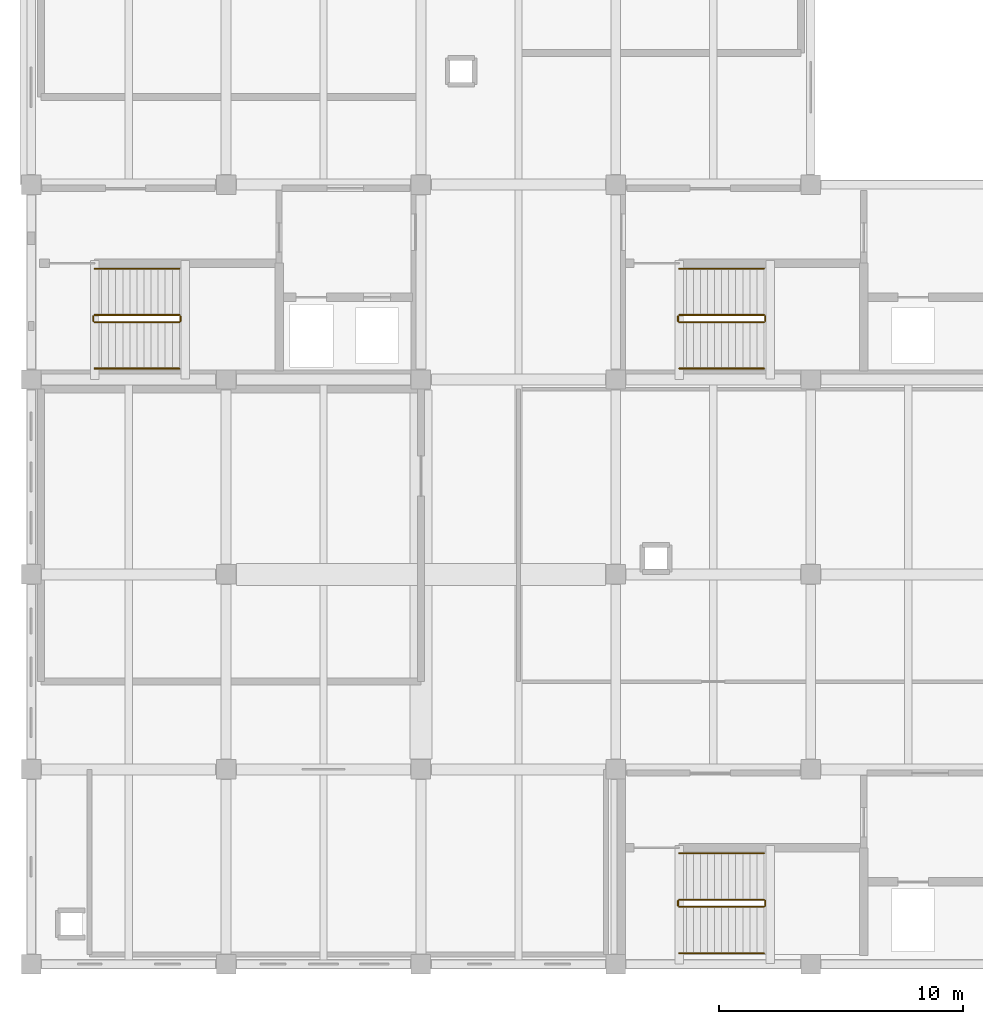
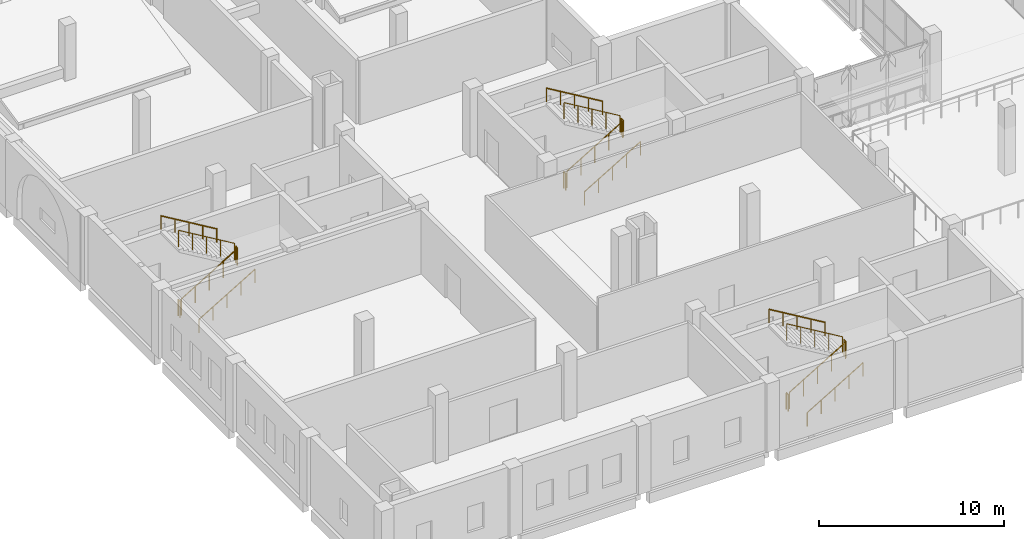
# One storey, part 37 of 45: 18 railings.
"""IFC4 building model written with IfcOpenShell, lengths in metres."""

from ifc_helpers import new_model, si_unit, direction, frame, origin, origin_2d, place, context, subcontext, project, spatial, circle, extrude, material, type_object, element, save


model = new_model("IFC4")

# Units and contexts
model_context = context("Model", 3, precision=1e-05, world=origin(), true_north=direction((0.0, 1.0)))
body_context = subcontext(model_context, "Body", "Model", "MODEL_VIEW")
ifc_project = project(units=[si_unit("LENGTHUNIT", "METRE"), si_unit("AREAUNIT", "SQUARE_METRE"), si_unit("VOLUMEUNIT", "CUBIC_METRE"), si_unit("PLANEANGLEUNIT", "RADIAN"), si_unit("MASSUNIT", "GRAM", prefix="KILO")], contexts=[model_context])

# Site, building, storey
site_placement = place(None, origin())
site = spatial("IfcSite", under=ifc_project, at=site_placement, CompositionType="ELEMENT")
building_placement = place(site_placement, origin())
building = spatial("IfcBuilding", under=site, at=building_placement, Name="Qorikala Patio Media Centre", CompositionType="ELEMENT")
storey_placement = place(building_placement, frame((0.0, 0.0, 9.89990234375)))
storey = spatial("IfcBuildingStorey", under=building, at=storey_placement, Name="L02", CompositionType="ELEMENT", Elevation=9.89990234375)

# Railings
ifc_material_1 = material(Name="Wrought Bronze and Steel S355", Category="steel")
railing_type_1 = type_object("IfcRailingType", Name="RL-GUARD-110", PredefinedType="GUARDRAIL", material=ifc_material_1)
railing_1_placement = place(storey_placement, frame((29.60009765625, 5.35009765625, 0.173095703125)))
element("IfcRailing", 1, at=railing_1_placement, inside=storey, type_object=railing_type_1, Name="L02 ST-1 stair guard 1", PredefinedType="GUARDRAIL", context=body_context, shape_type="SweptSolid", body=[
    extrude(circle(Radius=0.02392578125, at=origin_2d()), frame((0.0, 0.0, 1.076171875), z_axis=(0.858697190188, 0.0, 0.512483302717), x_axis=(0.0, 1.0, 0.0)), (0.0, 0.0, 1.0), 4.052734375),
    extrude(circle(Radius=0.02099609375, at=origin_2d()), origin(), (0.0, 0.0, 1.0), 1.052001953125),
    extrude(circle(Radius=0.02099609375, at=origin_2d()), frame((0.8701171875, 0.0, 0.519287109375)), (0.0, 0.0, 1.0), 1.052001953125),
    extrude(circle(Radius=0.02099609375, at=origin_2d()), frame((1.739990234375, 0.0, 1.03857421875)), (0.0, 0.0, 1.0), 1.052001953125),
    extrude(circle(Radius=0.02099609375, at=origin_2d()), frame((2.60986328125, 0.0, 1.5576171875)), (0.0, 0.0, 1.0), 1.052001953125),
    extrude(circle(Radius=0.02099609375, at=origin_2d()), frame((3.47998046875, 0.0, 2.076904296875)), (0.0, 0.0, 1.0), 1.052001953125),
])
railing_2_placement = place(storey_placement, frame((33.1298828125, 5.39990234375, 2.25)))
element("IfcRailing", 2, at=railing_2_placement, inside=storey, type_object=railing_type_1, Name="L02 ST-1 stair guard 2", PredefinedType="GUARDRAIL", context=body_context, shape_type="SweptSolid", body=[
    extrude(circle(Radius=0.02392578125, at=origin_2d()), frame((0.0, 0.0, 1.076171875), z_axis=(0.0, 1.0, 0.0), x_axis=(-1.0, 0.0, 0.0)), (0.0, 0.0, 1.0), 0.2001953125),
    extrude(circle(Radius=0.02099609375, at=origin_2d()), origin(), (0.0, 0.0, 1.0), 1.052001953125),
    extrude(circle(Radius=0.02099609375, at=origin_2d()), frame((0.0, 0.2001953125, 0.0)), (0.0, 0.0, 1.0), 1.052001953125),
])
railing_3_placement = place(storey_placement, frame((33.080078125, 5.64990234375, 2.423095703125)))
element("IfcRailing", 3, at=railing_3_placement, inside=storey, type_object=railing_type_1, Name="L02 ST-1 stair guard 3", PredefinedType="GUARDRAIL", context=body_context, shape_type="SweptSolid", body=[
    extrude(circle(Radius=0.02392578125, at=origin_2d()), frame((0.0, 0.0, 1.076171875), z_axis=(-0.858697190188, 0.0, 0.512483302717), x_axis=(0.0, -1.0, 0.0)), (0.0, 0.0, 1.0), 4.052734375),
    extrude(circle(Radius=0.02099609375, at=origin_2d()), origin(), (0.0, 0.0, 1.0), 1.052001953125),
    extrude(circle(Radius=0.02099609375, at=origin_2d()), frame((-0.8701171875, 0.0, 0.519287109375)), (0.0, 0.0, 1.0), 1.052001953125),
    extrude(circle(Radius=0.02099609375, at=origin_2d()), frame((-1.739990234375, 0.0, 1.03857421875)), (0.0, 0.0, 1.0), 1.052001953125),
    extrude(circle(Radius=0.02099609375, at=origin_2d()), frame((-2.60986328125, 0.0, 1.5576171875)), (0.0, 0.0, 1.0), 1.052001953125),
    extrude(circle(Radius=0.02099609375, at=origin_2d()), frame((-3.47998046875, 0.0, 2.076904296875)), (0.0, 0.0, 1.0), 1.052001953125),
])
railing_4_placement = place(storey_placement, frame((29.550048828125, 5.39990234375, 0.0)))
element("IfcRailing", 4, at=railing_4_placement, inside=storey, type_object=railing_type_1, Name="L02 ST-1 stair guard 4", PredefinedType="GUARDRAIL", context=body_context, shape_type="SweptSolid", body=[
    extrude(circle(Radius=0.02392578125, at=origin_2d()), frame((0.0, 0.0, 1.076171875), z_axis=(0.0, 1.0, 0.0), x_axis=(-1.0, 0.0, 0.0)), (0.0, 0.0, 1.0), 0.2001953125),
    extrude(circle(Radius=0.02099609375, at=origin_2d()), origin(), (0.0, 0.0, 1.0), 1.052001953125),
    extrude(circle(Radius=0.02099609375, at=origin_2d()), frame((0.0, 0.2001953125, 0.0)), (0.0, 0.0, 1.0), 1.052001953125),
])
railing_5_placement = place(storey_placement, frame((5.60009765625, 29.35009765625, 0.173095703125)))
element("IfcRailing", 5, at=railing_5_placement, inside=storey, type_object=railing_type_1, Name="L02 ST-2 stair guard 1", PredefinedType="GUARDRAIL", context=body_context, shape_type="SweptSolid", body=[
    extrude(circle(Radius=0.02392578125, at=origin_2d()), frame((0.0, 0.0, 1.076171875), z_axis=(0.858697190188, 0.0, 0.512483302717), x_axis=(0.0, 1.0, 0.0)), (0.0, 0.0, 1.0), 4.052734375),
    extrude(circle(Radius=0.02099609375, at=origin_2d()), origin(), (0.0, 0.0, 1.0), 1.052001953125),
    extrude(circle(Radius=0.02099609375, at=origin_2d()), frame((0.8701171875, 0.0, 0.519287109375)), (0.0, 0.0, 1.0), 1.052001953125),
    extrude(circle(Radius=0.02099609375, at=origin_2d()), frame((1.739990234375, 0.0, 1.03857421875)), (0.0, 0.0, 1.0), 1.052001953125),
    extrude(circle(Radius=0.02099609375, at=origin_2d()), frame((2.60986328125, 0.0, 1.5576171875)), (0.0, 0.0, 1.0), 1.052001953125),
    extrude(circle(Radius=0.02099609375, at=origin_2d()), frame((3.47998046875, 0.0, 2.076904296875)), (0.0, 0.0, 1.0), 1.052001953125),
])
railing_6_placement = place(storey_placement, frame((9.1298828125, 29.39990234375, 2.25)))
element("IfcRailing", 6, at=railing_6_placement, inside=storey, type_object=railing_type_1, Name="L02 ST-2 stair guard 2", PredefinedType="GUARDRAIL", context=body_context, shape_type="SweptSolid", body=[
    extrude(circle(Radius=0.02392578125, at=origin_2d()), frame((0.0, 0.0, 1.076171875), z_axis=(0.0, 1.0, 0.0), x_axis=(-1.0, 0.0, 0.0)), (0.0, 0.0, 1.0), 0.2001953125),
    extrude(circle(Radius=0.02099609375, at=origin_2d()), origin(), (0.0, 0.0, 1.0), 1.052001953125),
    extrude(circle(Radius=0.02099609375, at=origin_2d()), frame((0.0, 0.2001953125, 0.0)), (0.0, 0.0, 1.0), 1.052001953125),
])
railing_7_placement = place(storey_placement, frame((9.080078125, 29.64990234375, 2.423095703125)))
element("IfcRailing", 7, at=railing_7_placement, inside=storey, type_object=railing_type_1, Name="L02 ST-2 stair guard 3", PredefinedType="GUARDRAIL", context=body_context, shape_type="SweptSolid", body=[
    extrude(circle(Radius=0.02392578125, at=origin_2d()), frame((0.0, 0.0, 1.076171875), z_axis=(-0.858697190188, 0.0, 0.512483302717), x_axis=(0.0, -1.0, 0.0)), (0.0, 0.0, 1.0), 4.052734375),
    extrude(circle(Radius=0.02099609375, at=origin_2d()), origin(), (0.0, 0.0, 1.0), 1.052001953125),
    extrude(circle(Radius=0.02099609375, at=origin_2d()), frame((-0.8701171875, 0.0, 0.519287109375)), (0.0, 0.0, 1.0), 1.052001953125),
    extrude(circle(Radius=0.02099609375, at=origin_2d()), frame((-1.739990234375, 0.0, 1.03857421875)), (0.0, 0.0, 1.0), 1.052001953125),
    extrude(circle(Radius=0.02099609375, at=origin_2d()), frame((-2.60986328125, 0.0, 1.5576171875)), (0.0, 0.0, 1.0), 1.052001953125),
    extrude(circle(Radius=0.02099609375, at=origin_2d()), frame((-3.47998046875, 0.0, 2.076904296875)), (0.0, 0.0, 1.0), 1.052001953125),
])
railing_8_placement = place(storey_placement, frame((5.550048828125, 29.39990234375, 0.0)))
element("IfcRailing", 8, at=railing_8_placement, inside=storey, type_object=railing_type_1, Name="L02 ST-2 stair guard 4", PredefinedType="GUARDRAIL", context=body_context, shape_type="SweptSolid", body=[
    extrude(circle(Radius=0.02392578125, at=origin_2d()), frame((0.0, 0.0, 1.076171875), z_axis=(0.0, 1.0, 0.0), x_axis=(-1.0, 0.0, 0.0)), (0.0, 0.0, 1.0), 0.2001953125),
    extrude(circle(Radius=0.02099609375, at=origin_2d()), origin(), (0.0, 0.0, 1.0), 1.052001953125),
    extrude(circle(Radius=0.02099609375, at=origin_2d()), frame((0.0, 0.2001953125, 0.0)), (0.0, 0.0, 1.0), 1.052001953125),
])
railing_9_placement = place(storey_placement, frame((29.60009765625, 29.35009765625, 0.173095703125)))
element("IfcRailing", 9, at=railing_9_placement, inside=storey, type_object=railing_type_1, Name="L02 ST-5 stair guard 1", PredefinedType="GUARDRAIL", context=body_context, shape_type="SweptSolid", body=[
    extrude(circle(Radius=0.02392578125, at=origin_2d()), frame((0.0, 0.0, 1.076171875), z_axis=(0.858697190188, 0.0, 0.512483302717), x_axis=(0.0, 1.0, 0.0)), (0.0, 0.0, 1.0), 4.052734375),
    extrude(circle(Radius=0.02099609375, at=origin_2d()), origin(), (0.0, 0.0, 1.0), 1.052001953125),
    extrude(circle(Radius=0.02099609375, at=origin_2d()), frame((0.8701171875, 0.0, 0.519287109375)), (0.0, 0.0, 1.0), 1.052001953125),
    extrude(circle(Radius=0.02099609375, at=origin_2d()), frame((1.739990234375, 0.0, 1.03857421875)), (0.0, 0.0, 1.0), 1.052001953125),
    extrude(circle(Radius=0.02099609375, at=origin_2d()), frame((2.60986328125, 0.0, 1.5576171875)), (0.0, 0.0, 1.0), 1.052001953125),
    extrude(circle(Radius=0.02099609375, at=origin_2d()), frame((3.47998046875, 0.0, 2.076904296875)), (0.0, 0.0, 1.0), 1.052001953125),
])
railing_10_placement = place(storey_placement, frame((33.1298828125, 29.39990234375, 2.25)))
element("IfcRailing", 10, at=railing_10_placement, inside=storey, type_object=railing_type_1, Name="L02 ST-5 stair guard 2", PredefinedType="GUARDRAIL", context=body_context, shape_type="SweptSolid", body=[
    extrude(circle(Radius=0.02392578125, at=origin_2d()), frame((0.0, 0.0, 1.076171875), z_axis=(0.0, 1.0, 0.0), x_axis=(-1.0, 0.0, 0.0)), (0.0, 0.0, 1.0), 0.2001953125),
    extrude(circle(Radius=0.02099609375, at=origin_2d()), origin(), (0.0, 0.0, 1.0), 1.052001953125),
    extrude(circle(Radius=0.02099609375, at=origin_2d()), frame((0.0, 0.2001953125, 0.0)), (0.0, 0.0, 1.0), 1.052001953125),
])
railing_11_placement = place(storey_placement, frame((33.080078125, 29.64990234375, 2.423095703125)))
element("IfcRailing", 11, at=railing_11_placement, inside=storey, type_object=railing_type_1, Name="L02 ST-5 stair guard 3", PredefinedType="GUARDRAIL", context=body_context, shape_type="SweptSolid", body=[
    extrude(circle(Radius=0.02392578125, at=origin_2d()), frame((0.0, 0.0, 1.076171875), z_axis=(-0.858697190188, 0.0, 0.512483302717), x_axis=(0.0, -1.0, 0.0)), (0.0, 0.0, 1.0), 4.052734375),
    extrude(circle(Radius=0.02099609375, at=origin_2d()), origin(), (0.0, 0.0, 1.0), 1.052001953125),
    extrude(circle(Radius=0.02099609375, at=origin_2d()), frame((-0.8701171875, 0.0, 0.519287109375)), (0.0, 0.0, 1.0), 1.052001953125),
    extrude(circle(Radius=0.02099609375, at=origin_2d()), frame((-1.739990234375, 0.0, 1.03857421875)), (0.0, 0.0, 1.0), 1.052001953125),
    extrude(circle(Radius=0.02099609375, at=origin_2d()), frame((-2.60986328125, 0.0, 1.5576171875)), (0.0, 0.0, 1.0), 1.052001953125),
    extrude(circle(Radius=0.02099609375, at=origin_2d()), frame((-3.47998046875, 0.0, 2.076904296875)), (0.0, 0.0, 1.0), 1.052001953125),
])
railing_12_placement = place(storey_placement, frame((29.550048828125, 29.39990234375, 0.0)))
element("IfcRailing", 12, at=railing_12_placement, inside=storey, type_object=railing_type_1, Name="L02 ST-5 stair guard 4", PredefinedType="GUARDRAIL", context=body_context, shape_type="SweptSolid", body=[
    extrude(circle(Radius=0.02392578125, at=origin_2d()), frame((0.0, 0.0, 1.076171875), z_axis=(0.0, 1.0, 0.0), x_axis=(-1.0, 0.0, 0.0)), (0.0, 0.0, 1.0), 0.2001953125),
    extrude(circle(Radius=0.02099609375, at=origin_2d()), origin(), (0.0, 0.0, 1.0), 1.052001953125),
    extrude(circle(Radius=0.02099609375, at=origin_2d()), frame((0.0, 0.2001953125, 0.0)), (0.0, 0.0, 1.0), 1.052001953125),
])
ifc_material_2 = material(Name="Brushed Bronze Tubular Steel S355", Category="steel")
railing_type_2 = type_object("IfcRailingType", Name="RL-HAND-090", PredefinedType="HANDRAIL", material=ifc_material_2)
railing_13_placement = place(storey_placement, frame((29.60009765625, 3.449951171875, 0.173095703125)))
element("IfcRailing", 13, at=railing_13_placement, inside=storey, type_object=railing_type_2, Name="L02 ST-1 stair handrail 1", PredefinedType="HANDRAIL", context=body_context, shape_type="SweptSolid", body=[
    extrude(circle(Radius=0.02392578125, at=origin_2d()), frame((0.0, 0.0, 0.8759765625), z_axis=(0.858697190188, 0.0, 0.512483302717), x_axis=(0.0, 1.0, 0.0)), (0.0, 0.0, 1.0), 4.052734375),
    extrude(circle(Radius=0.02099609375, at=origin_2d()), origin(), (0.0, 0.0, 1.0), 0.851806640625),
    extrude(circle(Radius=0.02099609375, at=origin_2d()), frame((0.8701171875, 0.0, 0.519287109375)), (0.0, 0.0, 1.0), 0.851806640625),
    extrude(circle(Radius=0.02099609375, at=origin_2d()), frame((1.739990234375, 0.0, 1.03857421875)), (0.0, 0.0, 1.0), 0.851806640625),
    extrude(circle(Radius=0.02099609375, at=origin_2d()), frame((2.60986328125, 0.0, 1.5576171875)), (0.0, 0.0, 1.0), 0.851806640625),
    extrude(circle(Radius=0.02099609375, at=origin_2d()), frame((3.47998046875, 0.0, 2.076904296875)), (0.0, 0.0, 1.0), 0.851806640625),
])
railing_14_placement = place(storey_placement, frame((33.080078125, 7.550048828125, 2.423095703125)))
element("IfcRailing", 14, at=railing_14_placement, inside=storey, type_object=railing_type_2, Name="L02 ST-1 stair handrail 2", PredefinedType="HANDRAIL", context=body_context, shape_type="SweptSolid", body=[
    extrude(circle(Radius=0.02392578125, at=origin_2d()), frame((0.0, 0.0, 0.8759765625), z_axis=(-0.858697190188, 0.0, 0.512483302717), x_axis=(0.0, -1.0, 0.0)), (0.0, 0.0, 1.0), 4.052734375),
    extrude(circle(Radius=0.02099609375, at=origin_2d()), origin(), (0.0, 0.0, 1.0), 0.851806640625),
    extrude(circle(Radius=0.02099609375, at=origin_2d()), frame((-0.8701171875, 0.0, 0.519287109375)), (0.0, 0.0, 1.0), 0.851806640625),
    extrude(circle(Radius=0.02099609375, at=origin_2d()), frame((-1.739990234375, 0.0, 1.03857421875)), (0.0, 0.0, 1.0), 0.851806640625),
    extrude(circle(Radius=0.02099609375, at=origin_2d()), frame((-2.60986328125, 0.0, 1.5576171875)), (0.0, 0.0, 1.0), 0.851806640625),
    extrude(circle(Radius=0.02099609375, at=origin_2d()), frame((-3.47998046875, 0.0, 2.076904296875)), (0.0, 0.0, 1.0), 0.851806640625),
])
railing_15_placement = place(storey_placement, frame((5.60009765625, 27.449951171875, 0.173095703125)))
element("IfcRailing", 15, at=railing_15_placement, inside=storey, type_object=railing_type_2, Name="L02 ST-2 stair handrail 1", PredefinedType="HANDRAIL", context=body_context, shape_type="SweptSolid", body=[
    extrude(circle(Radius=0.02392578125, at=origin_2d()), frame((0.0, 0.0, 0.8759765625), z_axis=(0.858697190188, 0.0, 0.512483302717), x_axis=(0.0, 1.0, 0.0)), (0.0, 0.0, 1.0), 4.052734375),
    extrude(circle(Radius=0.02099609375, at=origin_2d()), origin(), (0.0, 0.0, 1.0), 0.851806640625),
    extrude(circle(Radius=0.02099609375, at=origin_2d()), frame((0.8701171875, 0.0, 0.519287109375)), (0.0, 0.0, 1.0), 0.851806640625),
    extrude(circle(Radius=0.02099609375, at=origin_2d()), frame((1.739990234375, 0.0, 1.03857421875)), (0.0, 0.0, 1.0), 0.851806640625),
    extrude(circle(Radius=0.02099609375, at=origin_2d()), frame((2.60986328125, 0.0, 1.5576171875)), (0.0, 0.0, 1.0), 0.851806640625),
    extrude(circle(Radius=0.02099609375, at=origin_2d()), frame((3.47998046875, 0.0, 2.076904296875)), (0.0, 0.0, 1.0), 0.851806640625),
])
railing_16_placement = place(storey_placement, frame((9.080078125, 31.550048828125, 2.423095703125)))
element("IfcRailing", 16, at=railing_16_placement, inside=storey, type_object=railing_type_2, Name="L02 ST-2 stair handrail 2", PredefinedType="HANDRAIL", context=body_context, shape_type="SweptSolid", body=[
    extrude(circle(Radius=0.02392578125, at=origin_2d()), frame((0.0, 0.0, 0.8759765625), z_axis=(-0.858697190188, 0.0, 0.512483302717), x_axis=(0.0, -1.0, 0.0)), (0.0, 0.0, 1.0), 4.052734375),
    extrude(circle(Radius=0.02099609375, at=origin_2d()), origin(), (0.0, 0.0, 1.0), 0.851806640625),
    extrude(circle(Radius=0.02099609375, at=origin_2d()), frame((-0.8701171875, 0.0, 0.519287109375)), (0.0, 0.0, 1.0), 0.851806640625),
    extrude(circle(Radius=0.02099609375, at=origin_2d()), frame((-1.739990234375, 0.0, 1.03857421875)), (0.0, 0.0, 1.0), 0.851806640625),
    extrude(circle(Radius=0.02099609375, at=origin_2d()), frame((-2.60986328125, 0.0, 1.5576171875)), (0.0, 0.0, 1.0), 0.851806640625),
    extrude(circle(Radius=0.02099609375, at=origin_2d()), frame((-3.47998046875, 0.0, 2.076904296875)), (0.0, 0.0, 1.0), 0.851806640625),
])
railing_17_placement = place(storey_placement, frame((29.60009765625, 27.449951171875, 0.173095703125)))
element("IfcRailing", 17, at=railing_17_placement, inside=storey, type_object=railing_type_2, Name="L02 ST-5 stair handrail 1", PredefinedType="HANDRAIL", context=body_context, shape_type="SweptSolid", body=[
    extrude(circle(Radius=0.02392578125, at=origin_2d()), frame((0.0, 0.0, 0.8759765625), z_axis=(0.858697190188, 0.0, 0.512483302717), x_axis=(0.0, 1.0, 0.0)), (0.0, 0.0, 1.0), 4.052734375),
    extrude(circle(Radius=0.02099609375, at=origin_2d()), origin(), (0.0, 0.0, 1.0), 0.851806640625),
    extrude(circle(Radius=0.02099609375, at=origin_2d()), frame((0.8701171875, 0.0, 0.519287109375)), (0.0, 0.0, 1.0), 0.851806640625),
    extrude(circle(Radius=0.02099609375, at=origin_2d()), frame((1.739990234375, 0.0, 1.03857421875)), (0.0, 0.0, 1.0), 0.851806640625),
    extrude(circle(Radius=0.02099609375, at=origin_2d()), frame((2.60986328125, 0.0, 1.5576171875)), (0.0, 0.0, 1.0), 0.851806640625),
    extrude(circle(Radius=0.02099609375, at=origin_2d()), frame((3.47998046875, 0.0, 2.076904296875)), (0.0, 0.0, 1.0), 0.851806640625),
])
railing_18_placement = place(storey_placement, frame((33.080078125, 31.550048828125, 2.423095703125)))
element("IfcRailing", 18, at=railing_18_placement, inside=storey, type_object=railing_type_2, Name="L02 ST-5 stair handrail 2", PredefinedType="HANDRAIL", context=body_context, shape_type="SweptSolid", body=[
    extrude(circle(Radius=0.02392578125, at=origin_2d()), frame((0.0, 0.0, 0.8759765625), z_axis=(-0.858697190188, 0.0, 0.512483302717), x_axis=(0.0, -1.0, 0.0)), (0.0, 0.0, 1.0), 4.052734375),
    extrude(circle(Radius=0.02099609375, at=origin_2d()), origin(), (0.0, 0.0, 1.0), 0.851806640625),
    extrude(circle(Radius=0.02099609375, at=origin_2d()), frame((-0.8701171875, 0.0, 0.519287109375)), (0.0, 0.0, 1.0), 0.851806640625),
    extrude(circle(Radius=0.02099609375, at=origin_2d()), frame((-1.739990234375, 0.0, 1.03857421875)), (0.0, 0.0, 1.0), 0.851806640625),
    extrude(circle(Radius=0.02099609375, at=origin_2d()), frame((-2.60986328125, 0.0, 1.5576171875)), (0.0, 0.0, 1.0), 0.851806640625),
    extrude(circle(Radius=0.02099609375, at=origin_2d()), frame((-3.47998046875, 0.0, 2.076904296875)), (0.0, 0.0, 1.0), 0.851806640625),
])

save(model, "model.ifc")
